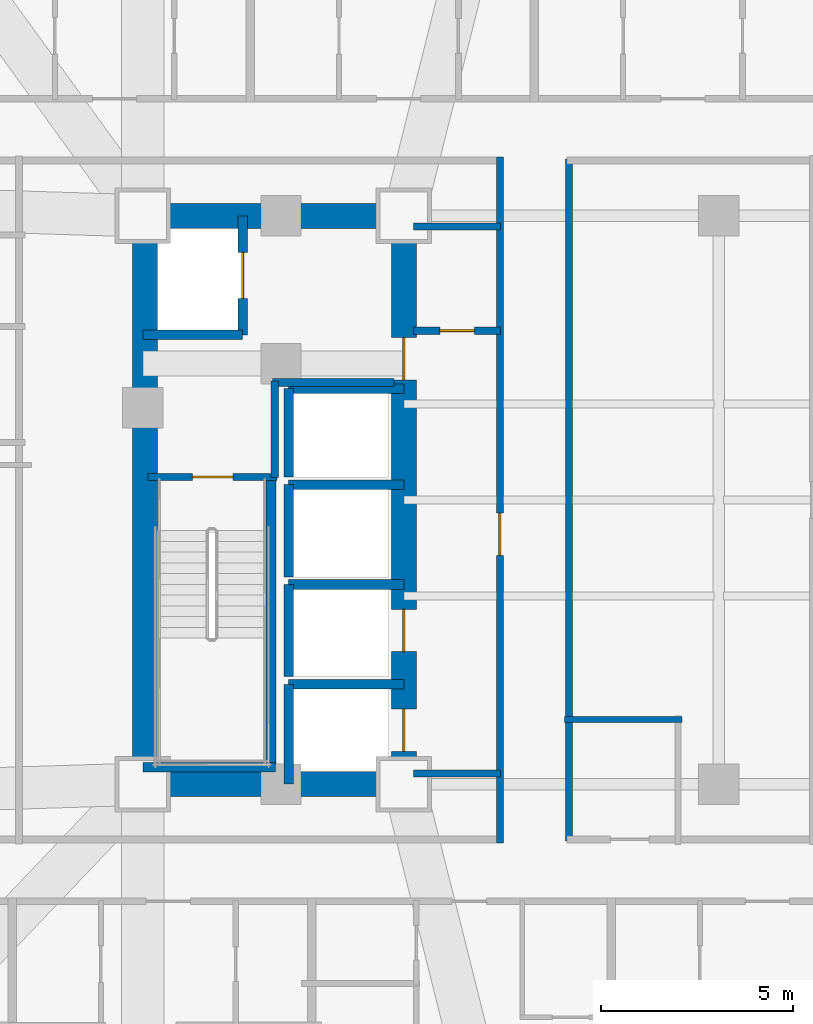
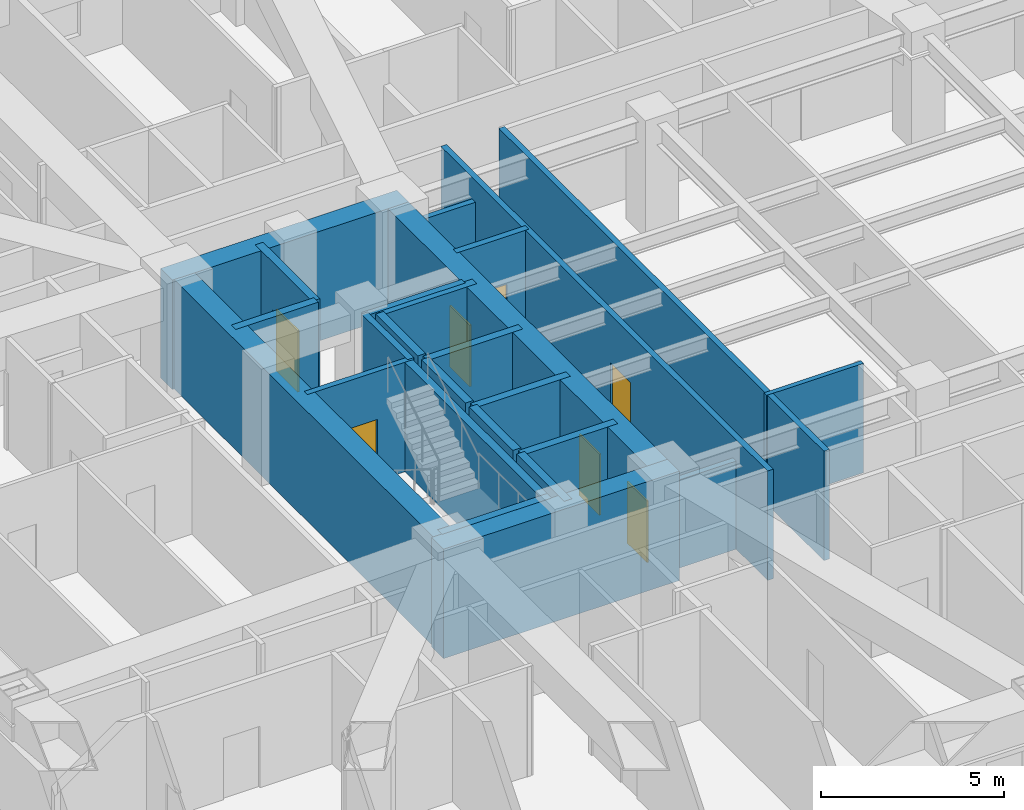
# One storey, part 4 of 15: 25 walls, 7 doors, 7 openings.
"""IFC4 building model written with IfcOpenShell, lengths in metres."""

from ifc_helpers import new_model, si_unit, direction, frame, frame_2d, origin, place, context, subcontext, project, spatial, rectangle, extrude, material, layer, layer_set, type_object, element, fill, save


model = new_model("IFC4")

# Units and contexts
model_context = context("Model", 3, precision=1e-05, world=origin(), true_north=direction((0.0, 1.0)))
body_context = subcontext(model_context, "Body", "Model", "MODEL_VIEW")
ifc_project = project(units=[si_unit("LENGTHUNIT", "METRE"), si_unit("AREAUNIT", "SQUARE_METRE"), si_unit("VOLUMEUNIT", "CUBIC_METRE"), si_unit("PLANEANGLEUNIT", "RADIAN"), si_unit("MASSUNIT", "GRAM", prefix="KILO")], contexts=[model_context])

# Site, building, storey
site_placement = place(None, origin())
site = spatial("IfcSite", under=ifc_project, at=site_placement, CompositionType="ELEMENT")
building_placement = place(site_placement, origin())
building = spatial("IfcBuilding", under=site, at=building_placement, Name="Voryun Gate Residences", CompositionType="ELEMENT")
storey_placement = place(building_placement, frame((0.0, 0.0, 26.0)))
storey = spatial("IfcBuildingStorey", under=building, at=storey_placement, Name="L05", CompositionType="ELEMENT", Elevation=26.0)

# Walls
ifc_material_1 = material(Name="Concrete C60/75", Category="concrete")
ifc_layer_1 = layer(ifc_material_1, 0.64990234375, Name="CW_CORE_650")
ifc_layer_set_1 = layer_set([ifc_layer_1], Name="Concrete C60/75")
wall_type_1 = type_object("IfcWallType", Name="CW_CORE_650", PredefinedType="SHEAR", material=ifc_layer_set_1)
for number, where, z_axis, x_axis, name in (
    (1, (-19.52490234375, -7.39990234375, 0.0), (0.0, 0.0, 1.0), (1.0, 0.0, 0.0), "L05 Core shear wall CW-L05-WS"),
    (2, (-19.52490234375, 7.39990234375, 0.0), (0.0, 0.0, 1.0), (1.0, 0.0, 0.0), "L05 Core shear wall CW-L05-WN"),
):
    element("IfcWall", number, at=place(storey_placement, frame(where, z_axis=z_axis, x_axis=x_axis)), inside=storey, type_object=wall_type_1, Name=name, PredefinedType="SHEAR", context=body_context, shape_type="SweptSolid", body=[
        extrude(rectangle(XDim=7.449951171875, YDim=0.64990234375, at=frame_2d((3.72509765625, 0.0))), origin(), (0.0, 0.0, 1.0), 3.64990234375),
    ])
wall_1_placement = place(storey_placement, frame((-19.14501953125, -7.39990234375, 0.0), z_axis=(0.0, 0.0, 1.0), x_axis=(0.0, 1.0, 0.0)))
element("IfcWall", 3, at=wall_1_placement, inside=storey, type_object=wall_type_1, Name="L05 Core shear wall CW-L05-WW", PredefinedType="SHEAR", context=body_context, shape_type="SweptSolid", body=[
    extrude(rectangle(XDim=14.7998046875, YDim=0.64990234375, at=frame_2d((7.39990234375, 0.0))), origin(), (0.0, 0.0, 1.0), 3.64990234375),
])

# Wall, openings, doors
wall_2_placement = place(storey_placement, frame((-12.39990234375, -7.39990234375, 0.0), z_axis=(0.0, 0.0, 1.0), x_axis=(0.0, 1.0, 0.0)))
wall_2 = element("IfcWall", 4, at=wall_2_placement, inside=storey, type_object=wall_type_1, Name="L05 Core shear wall CW-L05-WE", PredefinedType="SHEAR", context=body_context, shape_type="SweptSolid", body=[
    extrude(rectangle(XDim=14.7998046875, YDim=0.64990234375, at=frame_2d((7.39990234375, 0.0))), origin(), (0.0, 0.0, 1.0), 3.64990234375),
])
opening_1_placement = place(wall_2_placement, frame((0.85009765625, 0.0, 0.0)))
opening_1 = element("IfcOpeningElement", 5, at=opening_1_placement, cuts=wall_2, Name="Opening LD2", PredefinedType="OPENING", context=body_context, shape_type="SweptSolid", body=[
    extrude(rectangle(XDim=1.10009765625, YDim=2.050048828125, at=frame_2d((0.550048828125, 1.02490234375))), frame((0.0, 0.3349609375, 0.0), z_axis=(0.0, -1.0, 0.0), x_axis=(1.0, 0.0, 0.0)), (0.0, 0.0, 1.0), 0.669921875),
])
opening_2_placement = place(wall_2_placement, frame((3.449951171875, 0.0, 0.0)))
opening_2 = element("IfcOpeningElement", 6, at=opening_2_placement, cuts=wall_2, Name="Opening LD2", PredefinedType="OPENING", context=body_context, shape_type="SweptSolid", body=[
    extrude(rectangle(XDim=1.10009765625, YDim=2.050048828125, at=frame_2d((0.550048828125, 1.02490234375))), frame((0.0, 0.3349609375, 0.0), z_axis=(0.0, -1.0, 0.0), x_axis=(1.0, 0.0, 0.0)), (0.0, 0.0, 1.0), 0.669921875),
])
opening_3_placement = place(wall_2_placement, frame((10.530029296875, 0.0, 0.0)))
opening_3 = element("IfcOpeningElement", 7, at=opening_3_placement, cuts=wall_2, Name="Opening D-FD60-2", PredefinedType="OPENING", context=body_context, shape_type="SweptSolid", body=[
    extrude(rectangle(XDim=1.10009765625, YDim=2.050048828125, at=frame_2d((0.550048828125, 1.02490234375))), frame((0.0, 0.3349609375, 0.0), z_axis=(0.0, -1.0, 0.0), x_axis=(1.0, 0.0, 0.0)), (0.0, 0.0, 1.0), 0.669921875),
])
ifc_material_2 = material(Name="Painted steel fire door", Category="steel")
door_type_1 = type_object("IfcDoorType", Name="DR_FD60_FFLOB_1100", OperationType="NOTDEFINED", PredefinedType="DOOR", material=ifc_material_2)
door_1_placement = place(opening_3_placement, origin())
door_1 = element("IfcDoor", 8, at=door_1_placement, inside=storey, type_object=door_type_1, Name="Door DR-L05-CLOB-W", OperationType="SINGLE_SWING_LEFT", OverallHeight=2.050048828125, OverallWidth=1.10009765625, PredefinedType="DOOR", context=body_context, shape_type="SweptSolid", body=[
    extrude(rectangle(XDim=1.10009765625, YDim=2.050048828125, at=frame_2d((0.550048828125, 1.02490234375))), frame((0.0, 0.02490234375, 0.0), z_axis=(0.0, -1.0, 0.0), x_axis=(1.0, 0.0, 0.0)), (0.0, 0.0, 1.0), 0.050048828125),
])
fill(opening_3, door_1)
ifc_material_3 = material(Name="Anodised aluminium", Category="aluminium")
door_type_2 = type_object("IfcDoorType", Name="DR_LD_PASS_1100", OperationType="NOTDEFINED", PredefinedType="DOOR", material=ifc_material_3)
door_2_placement = place(opening_1_placement, origin())
door_2 = element("IfcDoor", 9, at=door_2_placement, inside=storey, type_object=door_type_2, Name="Lift EL-P1 sliding landing door L05", OperationType="SLIDING_TO_LEFT", OverallHeight=2.050048828125, OverallWidth=1.10009765625, PredefinedType="DOOR", context=body_context, shape_type="SweptSolid", body=[
    extrude(rectangle(XDim=1.10009765625, YDim=2.050048828125, at=frame_2d((0.550048828125, 1.02490234375))), frame((0.0, 0.02490234375, 0.0), z_axis=(0.0, -1.0, 0.0), x_axis=(1.0, 0.0, 0.0)), (0.0, 0.0, 1.0), 0.050048828125),
])
fill(opening_1, door_2)
door_3_placement = place(opening_2_placement, origin())
door_3 = element("IfcDoor", 10, at=door_3_placement, inside=storey, type_object=door_type_2, Name="Lift EL-P2 sliding landing door L05", OperationType="SLIDING_TO_LEFT", OverallHeight=2.050048828125, OverallWidth=1.10009765625, PredefinedType="DOOR", context=body_context, shape_type="SweptSolid", body=[
    extrude(rectangle(XDim=1.10009765625, YDim=2.050048828125, at=frame_2d((0.550048828125, 1.02490234375))), frame((0.0, 0.02490234375, 0.0), z_axis=(0.0, -1.0, 0.0), x_axis=(1.0, 0.0, 0.0)), (0.0, 0.0, 1.0), 0.050048828125),
])
fill(opening_2, door_3)

# Wall, opening, door
ifc_material_4 = material(Name="Gypsum acoustic fireboard")
ifc_layer_2 = layer(ifc_material_4, 0.179931640625, Name="W_CORR_RATED_180")
ifc_layer_set_2 = layer_set([ifc_layer_2], Name="Gypsum acoustic fireboard")
wall_type_2 = type_object("IfcWallType", Name="W_CORR_RATED_180", PredefinedType="PARTITIONING", material=ifc_layer_set_2)
wall_3_placement = place(storey_placement, frame((-19.06005859375, 0.60009765625, 0.0), z_axis=(0.0, 0.0, 1.0), x_axis=(1.0, 0.0, 0.0)))
wall_3 = element("IfcWall", 11, at=wall_3_placement, inside=storey, type_object=wall_type_2, Name="Partition wall WP-L05-STV-W", PredefinedType="PARTITIONING", context=body_context, shape_type="SweptSolid", body=[
    extrude(rectangle(XDim=3.360107421875, YDim=0.179931640625, at=frame_2d((1.68017578125, 0.0))), origin(), (0.0, 0.0, 1.0), 3.64990234375),
])
opening_4_placement = place(wall_3_placement, frame((1.155029296875, 0.0, 0.0)))
opening_4 = element("IfcOpeningElement", 12, at=opening_4_placement, cuts=wall_3, Name="Opening D-FD60-1", PredefinedType="OPENING", context=body_context, shape_type="SweptSolid", body=[
    extrude(rectangle(XDim=1.050048828125, YDim=2.050048828125, at=frame_2d((0.52490234375, 1.02490234375))), frame((0.0, 0.099853515625, 0.0), z_axis=(0.0, -1.0, 0.0), x_axis=(1.0, 0.0, 0.0)), (0.0, 0.0, 1.0), 0.199951171875),
])
ifc_material_5 = material(Name="Painted steel fire door", Category="steel")
door_type_3 = type_object("IfcDoorType", Name="DR_FD60_STAIR_1050", OperationType="NOTDEFINED", PredefinedType="DOOR", material=ifc_material_5)
door_4_placement = place(opening_4_placement, origin())
door_4 = element("IfcDoor", 13, at=door_4_placement, inside=storey, type_object=door_type_3, Name="Door DR-L05-ST-W", OperationType="SINGLE_SWING_LEFT", OverallHeight=2.050048828125, OverallWidth=1.050048828125, PredefinedType="DOOR", context=body_context, shape_type="SweptSolid", body=[
    extrude(rectangle(XDim=1.050048828125, YDim=2.050048828125, at=frame_2d((0.52490234375, 1.02490234375))), frame((0.0, 0.02490234375, 0.0), z_axis=(0.0, -1.0, 0.0), x_axis=(1.0, 0.0, 0.0)), (0.0, 0.0, 1.0), 0.050048828125),
])
fill(opening_4, door_4)

# Walls
for number, where, z_axis, x_axis, name in (
    (14, (-12.14990234375, 7.1201171875, 0.0), (0.0, 0.0, 1.0), (1.0, 0.0, 0.0), "Partition wall WP-L05-PLBN-W"),
    (15, (-12.14990234375, -7.1201171875, 0.0), (0.0, 0.0, 1.0), (1.0, 0.0, 0.0), "Partition wall WP-L05-PLBS-W"),
):
    element("IfcWall", number, at=place(storey_placement, frame(where, z_axis=z_axis, x_axis=x_axis)), inside=storey, type_object=wall_type_2, Name=name, PredefinedType="PARTITIONING", context=body_context, shape_type="SweptSolid", body=[
        extrude(rectangle(XDim=2.27001953125, YDim=0.179931640625, at=frame_2d((1.135009765625, 0.0))), origin(), (0.0, 0.0, 1.0), 2.93994140625),
    ])

# Wall, opening, door
wall_4_placement = place(storey_placement, frame((-9.89990234375, -8.929931640625, 0.0), z_axis=(0.0, 0.0, 1.0), x_axis=(0.0, 1.0, 0.0)))
wall_4 = element("IfcWall", 16, at=wall_4_placement, inside=storey, type_object=wall_type_2, Name="Partition wall WP-L05-PLBW-FULL", PredefinedType="PARTITIONING", context=body_context, shape_type="SweptSolid", body=[
    extrude(rectangle(XDim=17.85986328125, YDim=0.179931640625, at=frame_2d((8.929931640625, 0.0))), origin(), (0.0, 0.0, 1.0), 3.64990234375),
])
opening_5_placement = place(wall_4_placement, frame((7.487060546875, 0.0, 0.0)))
opening_5 = element("IfcOpeningElement", 17, at=opening_5_placement, cuts=wall_4, Name="Opening D-FD60-2", PredefinedType="OPENING", context=body_context, shape_type="SweptSolid", body=[
    extrude(rectangle(XDim=1.10009765625, YDim=2.050048828125, at=frame_2d((0.550048828125, 1.02490234375))), frame((0.0, 0.099853515625, 0.0), z_axis=(0.0, -1.0, 0.0), x_axis=(1.0, 0.0, 0.0)), (0.0, 0.0, 1.0), 0.199951171875),
])
door_5_placement = place(opening_5_placement, origin())
door_5 = element("IfcDoor", 18, at=door_5_placement, inside=storey, type_object=door_type_1, Name="Door DR-L05-PLBW-COR", OperationType="SINGLE_SWING_LEFT", OverallHeight=2.050048828125, OverallWidth=1.10009765625, PredefinedType="DOOR", context=body_context, shape_type="SweptSolid", body=[
    extrude(rectangle(XDim=1.10009765625, YDim=2.050048828125, at=frame_2d((0.550048828125, 1.02490234375))), frame((0.0, 0.02490234375, 0.0), z_axis=(0.0, -1.0, 0.0), x_axis=(1.0, 0.0, 0.0)), (0.0, 0.0, 1.0), 0.050048828125),
])
fill(opening_5, door_5)

# Walls
wall_5_placement = place(storey_placement, frame((-8.10009765625, -8.8798828125, 0.0), z_axis=(0.0, 0.0, 1.0), x_axis=(0.0, 1.0, 0.0)))
element("IfcWall", 19, at=wall_5_placement, inside=storey, type_object=wall_type_2, Name="Partition wall WP-L05-Z1W", PredefinedType="PARTITIONING", context=body_context, shape_type="SweptSolid", body=[
    extrude(rectangle(XDim=17.759765625, YDim=0.179931640625, at=frame_2d((8.8798828125, 0.0))), origin(), (0.0, 0.0, 1.0), 3.64990234375),
])
ifc_material_6 = material(Name="Concrete C40/50", Category="concrete")
ifc_layer_3 = layer(ifc_material_6, 0.199951171875, Name="W_FF_LOBBY_200")
ifc_layer_set_3 = layer_set([ifc_layer_3], Name="Concrete C40/50")
wall_type_3 = type_object("IfcWallType", Name="W_FF_LOBBY_200", PredefinedType="PARTITIONING", material=ifc_layer_set_3)
wall_6_placement = place(storey_placement, frame((-15.760009765625, 0.580078125, 0.0), z_axis=(0.0, 0.0, 1.0), x_axis=(0.0, 1.0, 0.0)))
element("IfcWall", 20, at=wall_6_placement, inside=storey, type_object=wall_type_3, Name="Partition wall WP-L05-FFP0-W", PredefinedType="PARTITIONING", context=body_context, shape_type="SweptSolid", body=[
    extrude(rectangle(XDim=2.52001953125, YDim=0.199951171875, at=frame_2d((1.260009765625, 0.0))), origin(), (0.0, 0.0, 1.0), 3.64990234375),
])
wall_7_placement = place(storey_placement, frame((-15.820068359375, 3.06005859375, 0.0), z_axis=(0.0, 0.0, 1.0), x_axis=(1.0, 0.0, 0.0)))
element("IfcWall", 21, at=wall_7_placement, inside=storey, type_object=wall_type_3, Name="Partition wall WP-L05-FFPS-W", PredefinedType="PARTITIONING", context=body_context, shape_type="SweptSolid", body=[
    extrude(rectangle(XDim=3.16015625, YDim=0.199951171875, at=frame_2d((1.580078125, 0.0))), origin(), (0.0, 0.0, 1.0), 3.64990234375),
])

# Wall, opening, door
wall_8_placement = place(storey_placement, frame((-12.14990234375, 4.409912109375, 0.0), z_axis=(0.0, 0.0, 1.0), x_axis=(1.0, 0.0, 0.0)))
wall_8 = element("IfcWall", 22, at=wall_8_placement, inside=storey, type_object=wall_type_3, Name="Partition wall WP-L05-CSFLKS-W", PredefinedType="PARTITIONING", context=body_context, shape_type="SweptSolid", body=[
    extrude(rectangle(XDim=2.27001953125, YDim=0.199951171875, at=frame_2d((1.135009765625, 0.0))), origin(), (0.0, 0.0, 1.0), 3.64990234375),
])
opening_6_placement = place(wall_8_placement, frame((0.68505859375, 0.0, 0.0)))
opening_6 = element("IfcOpeningElement", 23, at=opening_6_placement, cuts=wall_8, Name="Opening D-FD60-4", PredefinedType="OPENING", context=body_context, shape_type="SweptSolid", body=[
    extrude(rectangle(XDim=0.89990234375, YDim=2.050048828125, at=frame_2d((0.449951171875, 1.02490234375))), frame((0.0, 0.110107421875, 0.0), z_axis=(0.0, -1.0, 0.0), x_axis=(1.0, 0.0, 0.0)), (0.0, 0.0, 1.0), 0.219970703125),
])
ifc_material_7 = material(Name="Painted steel fire door", Category="steel")
door_type_4 = type_object("IfcDoorType", Name="DR_FD60_RISER_900", OperationType="NOTDEFINED", PredefinedType="DOOR", material=ifc_material_7)
door_6_placement = place(opening_6_placement, origin())
door_6 = element("IfcDoor", 24, at=door_6_placement, inside=storey, type_object=door_type_4, Name="Door DR-L05-CSFLK-W", OperationType="SINGLE_SWING_LEFT", OverallHeight=2.050048828125, OverallWidth=0.89990234375, PredefinedType="DOOR", context=body_context, shape_type="SweptSolid", body=[
    extrude(rectangle(XDim=0.89990234375, YDim=2.050048828125, at=frame_2d((0.449951171875, 1.02490234375))), frame((0.0, 0.02490234375, 0.0), z_axis=(0.0, -1.0, 0.0), x_axis=(1.0, 0.0, 0.0)), (0.0, 0.0, 1.0), 0.050048828125),
])
fill(opening_6, door_6)

# Walls
ifc_material_8 = material(Name="Concrete C50/60", Category="concrete")
ifc_layer_4 = layer(ifc_material_8, 0.25, Name="W_SHAFT_RC250")
ifc_layer_set_4 = layer_set([ifc_layer_4], Name="Concrete C50/60")
wall_type_4 = type_object("IfcWallType", Name="W_SHAFT_RC250", PredefinedType="SOLIDWALL", material=ifc_layer_set_4)
wall_9_placement = place(storey_placement, frame((-15.860107421875, -7.0849609375, 0.0), z_axis=(0.0, 0.0, 1.0), x_axis=(0.0, 1.0, 0.0)))
element("IfcWall", 25, at=wall_9_placement, inside=storey, type_object=wall_type_4, Name="L05 Stair shaft structural wall W-STR", PredefinedType="SOLIDWALL", context=body_context, shape_type="SweptSolid", body=[
    extrude(rectangle(XDim=7.68505859375, YDim=0.25, at=frame_2d((3.842529296875, 0.0))), origin(), (0.0, 0.0, 1.0), 3.64990234375),
])
wall_10_placement = place(storey_placement, frame((-19.199951171875, -6.965087890625, 0.0), z_axis=(0.0, 0.0, 1.0), x_axis=(1.0, 0.0, 0.0)))
element("IfcWall", 26, at=wall_10_placement, inside=storey, type_object=wall_type_4, Name="L05 Stair shaft structural wall W-STS", PredefinedType="SOLIDWALL", context=body_context, shape_type="SweptSolid", body=[
    extrude(rectangle(XDim=3.4599609375, YDim=0.25, at=frame_2d((1.72998046875, 0.0))), origin(), (0.0, 0.0, 1.0), 3.64990234375),
])
wall_11_placement = place(storey_placement, frame((-19.199951171875, 4.300048828125, 0.0), z_axis=(0.0, 0.0, 1.0), x_axis=(1.0, 0.0, 0.0)))
element("IfcWall", 27, at=wall_11_placement, inside=storey, type_object=wall_type_4, Name="Lift shaft wall WSH-L05-EL-FF-W1-S", PredefinedType="SOLIDWALL", context=body_context, shape_type="SweptSolid", body=[
    extrude(rectangle(XDim=2.599853515625, YDim=0.25, at=frame_2d((1.2998046875, 0.0))), origin(), (0.0, 0.0, 1.0), 3.64990234375),
])

# Wall, opening, door
wall_12_placement = place(storey_placement, frame((-16.60009765625, 4.300048828125, 0.0), z_axis=(0.0, 0.0, 1.0), x_axis=(0.0, 1.0, 0.0)))
wall_12 = element("IfcWall", 28, at=wall_12_placement, inside=storey, type_object=wall_type_4, Name="Lift shaft wall WSH-L05-EL-FF-W1-E", PredefinedType="SOLIDWALL", context=body_context, shape_type="SweptSolid", body=[
    extrude(rectangle(XDim=3.099853515625, YDim=0.25, at=frame_2d((1.5498046875, 0.0))), origin(), (0.0, 0.0, 1.0), 3.64990234375),
])
opening_7_placement = place(wall_12_placement, frame((0.949951171875, 0.0, 0.0)))
opening_7 = element("IfcOpeningElement", 29, at=opening_7_placement, cuts=wall_12, Name="Opening LD1", PredefinedType="OPENING", context=body_context, shape_type="SweptSolid", body=[
    extrude(rectangle(XDim=1.199951171875, YDim=2.050048828125, at=frame_2d((0.60009765625, 1.02490234375))), frame((0.0, 0.135009765625, 0.0), z_axis=(0.0, -1.0, 0.0), x_axis=(1.0, 0.0, 0.0)), (0.0, 0.0, 1.0), 0.27001953125),
])
ifc_material_9 = material(Name="Anodised aluminium", Category="aluminium")
door_type_5 = type_object("IfcDoorType", Name="DR_LD_FF_1200", OperationType="NOTDEFINED", PredefinedType="DOOR", material=ifc_material_9)
door_7_placement = place(opening_7_placement, origin())
door_7 = element("IfcDoor", 30, at=door_7_placement, inside=storey, type_object=door_type_5, Name="Lift EL-FF-W1 sliding landing door L05", OperationType="SLIDING_TO_LEFT", OverallHeight=2.050048828125, OverallWidth=1.199951171875, PredefinedType="DOOR", context=body_context, shape_type="SweptSolid", body=[
    extrude(rectangle(XDim=1.199951171875, YDim=2.050048828125, at=frame_2d((0.60009765625, 1.02490234375))), frame((0.0, 0.02490234375, 0.0), z_axis=(0.0, -1.0, 0.0), x_axis=(1.0, 0.0, 0.0)), (0.0, 0.0, 1.0), 0.050048828125),
])
fill(opening_7, door_7)

# Walls
wall_13_placement = place(storey_placement, frame((-12.39990234375, -4.800048828125, 0.0), z_axis=(0.0, 0.0, 1.0), x_axis=(-1.0, 0.0, 0.0)))
element("IfcWall", 31, at=wall_13_placement, inside=storey, type_object=wall_type_4, Name="Lift shaft wall WSH-L05-EL-P1-N", PredefinedType="SOLIDWALL", context=body_context, shape_type="SweptSolid", body=[
    extrude(rectangle(XDim=3.0, YDim=0.25, at=frame_2d((1.5, 0.0))), origin(), (0.0, 0.0, 1.0), 3.64990234375),
])
wall_14_placement = place(storey_placement, frame((-15.39990234375, -4.800048828125, 0.0), z_axis=(0.0, 0.0, 1.0), x_axis=(0.0, -1.0, 0.0)))
element("IfcWall", 32, at=wall_14_placement, inside=storey, type_object=wall_type_4, Name="Lift shaft wall WSH-L05-EL-P1-W", PredefinedType="SOLIDWALL", context=body_context, shape_type="SweptSolid", body=[
    extrude(rectangle(XDim=2.599853515625, YDim=0.25, at=frame_2d((1.2998046875, 0.0))), origin(), (0.0, 0.0, 1.0), 3.64990234375),
])
wall_15_placement = place(storey_placement, frame((-12.39990234375, -2.199951171875, 0.0), z_axis=(0.0, 0.0, 1.0), x_axis=(-1.0, 0.0, 0.0)))
element("IfcWall", 33, at=wall_15_placement, inside=storey, type_object=wall_type_4, Name="Lift shaft wall WSH-L05-EL-P2-N", PredefinedType="SOLIDWALL", context=body_context, shape_type="SweptSolid", body=[
    extrude(rectangle(XDim=3.0, YDim=0.25, at=frame_2d((1.5, 0.0))), origin(), (0.0, 0.0, 1.0), 3.64990234375),
])
wall_16_placement = place(storey_placement, frame((-15.39990234375, -2.199951171875, 0.0), z_axis=(0.0, 0.0, 1.0), x_axis=(0.0, -1.0, 0.0)))
element("IfcWall", 34, at=wall_16_placement, inside=storey, type_object=wall_type_4, Name="Lift shaft wall WSH-L05-EL-P2-W", PredefinedType="SOLIDWALL", context=body_context, shape_type="SweptSolid", body=[
    extrude(rectangle(XDim=2.400146484375, YDim=0.25, at=frame_2d((1.2001953125, 0.0))), origin(), (0.0, 0.0, 1.0), 3.64990234375),
])
wall_17_placement = place(storey_placement, frame((-12.39990234375, 0.39990234375, 0.0), z_axis=(0.0, 0.0, 1.0), x_axis=(-1.0, 0.0, 0.0)))
element("IfcWall", 35, at=wall_17_placement, inside=storey, type_object=wall_type_4, Name="Lift shaft wall WSH-L05-EL-P4-N", PredefinedType="SOLIDWALL", context=body_context, shape_type="SweptSolid", body=[
    extrude(rectangle(XDim=3.0, YDim=0.25, at=frame_2d((1.5, 0.0))), origin(), (0.0, 0.0, 1.0), 3.64990234375),
])
wall_18_placement = place(storey_placement, frame((-15.39990234375, 0.39990234375, 0.0), z_axis=(0.0, 0.0, 1.0), x_axis=(0.0, -1.0, 0.0)))
element("IfcWall", 36, at=wall_18_placement, inside=storey, type_object=wall_type_4, Name="Lift shaft wall WSH-L05-EL-P4-W", PredefinedType="SOLIDWALL", context=body_context, shape_type="SweptSolid", body=[
    extrude(rectangle(XDim=2.39990234375, YDim=0.25, at=frame_2d((1.199951171875, 0.0))), origin(), (0.0, 0.0, 1.0), 3.64990234375),
])
wall_19_placement = place(storey_placement, frame((-12.39990234375, 2.89990234375, 0.0), z_axis=(0.0, 0.0, 1.0), x_axis=(-1.0, 0.0, 0.0)))
element("IfcWall", 37, at=wall_19_placement, inside=storey, type_object=wall_type_4, Name="Lift shaft wall WSH-L05-EL-P7-N", PredefinedType="SOLIDWALL", context=body_context, shape_type="SweptSolid", body=[
    extrude(rectangle(XDim=3.0, YDim=0.25, at=frame_2d((1.5, 0.0))), origin(), (0.0, 0.0, 1.0), 3.64990234375),
])
wall_20_placement = place(storey_placement, frame((-15.39990234375, 2.89990234375, 0.0), z_axis=(0.0, 0.0, 1.0), x_axis=(0.0, -1.0, 0.0)))
element("IfcWall", 38, at=wall_20_placement, inside=storey, type_object=wall_type_4, Name="Lift shaft wall WSH-L05-EL-P7-W", PredefinedType="SOLIDWALL", context=body_context, shape_type="SweptSolid", body=[
    extrude(rectangle(XDim=2.2998046875, YDim=0.25, at=frame_2d((1.14990234375, 0.0))), origin(), (0.0, 0.0, 1.0), 3.64990234375),
])
ifc_material_10 = material(Name="Gypsum moisture-resistant partition")
ifc_layer_5 = layer(ifc_material_10, 0.14990234375, Name="W_WET_PLUMB_150")
ifc_layer_set_5 = layer_set([ifc_layer_5], Name="Gypsum moisture-resistant partition")
wall_type_5 = type_object("IfcWallType", Name="W_WET_PLUMB_150", PredefinedType="PLUMBINGWALL", material=ifc_layer_set_5)
wall_21_placement = place(storey_placement, frame((-8.2099609375, -5.719970703125, 0.0), z_axis=(0.0, 0.0, 1.0), x_axis=(1.0, 0.0, 0.0)))
element("IfcWall", 39, at=wall_21_placement, inside=storey, type_object=wall_type_5, Name="Partition wall WP-L05-CMWCY", PredefinedType="PLUMBINGWALL", context=body_context, shape_type="SweptSolid", body=[
    extrude(rectangle(XDim=3.050048828125, YDim=0.14990234375, at=frame_2d((1.52490234375, 0.0))), origin(), (0.0, 0.0, 1.0), 3.64990234375),
])

save(model, "model.ifc")
